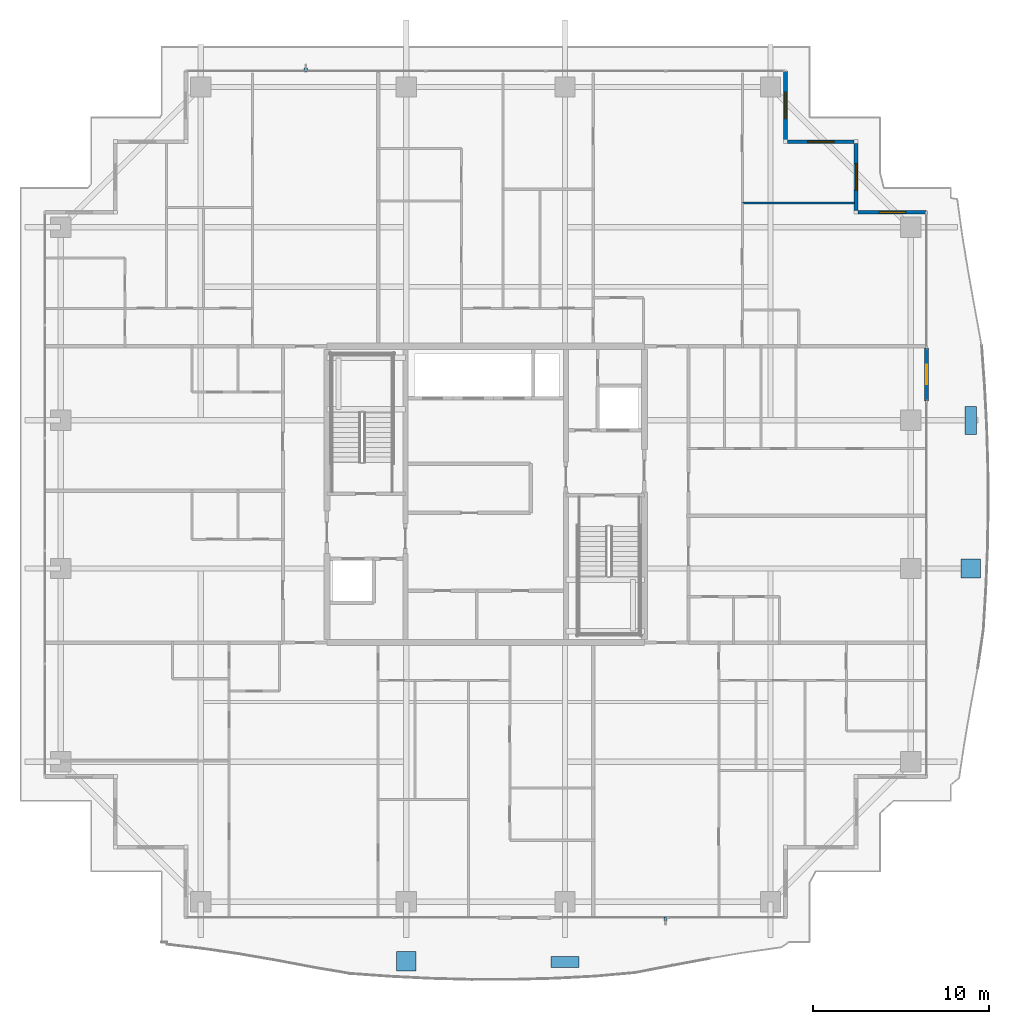
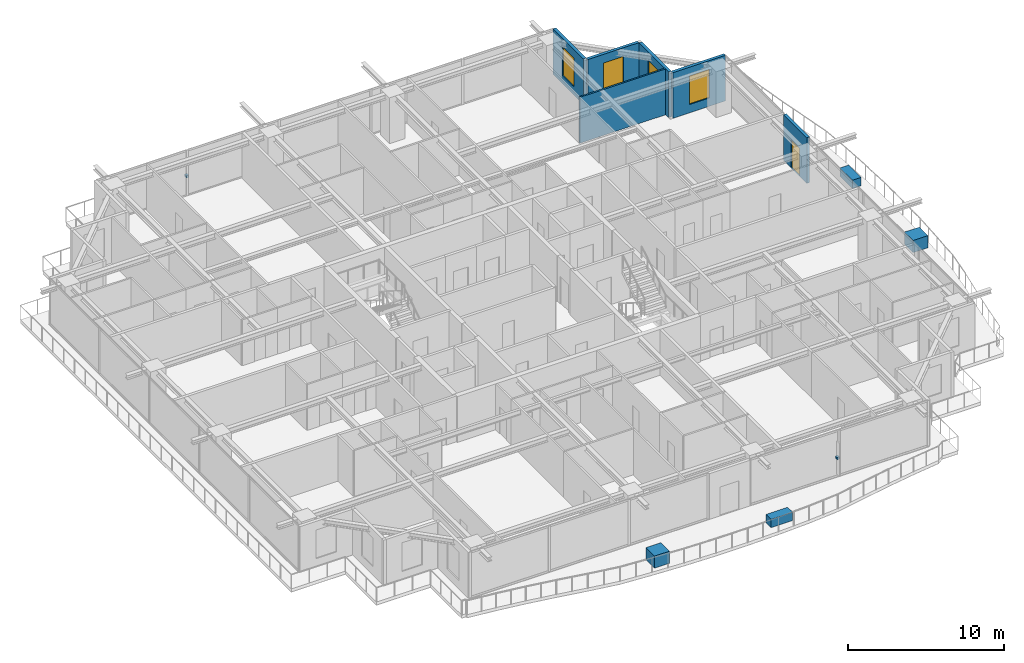
# One storey, part 31 of 38: 6 discrete accessories, 6 walls, 4 windows, 1 door, 5 openings.
"""IFC4 building model written with IfcOpenShell, lengths in metres."""

from ifc_helpers import new_model, si_unit, direction, frame, frame_2d, origin, origin_2d, place, context, subcontext, project, spatial, rectangle, extrude, source, transform, mapped, material, layer, layer_set, type_object, element, fill, save


model = new_model("IFC4")

# Units and contexts
model_context = context("Model", 3, precision=1e-05, world=origin(), true_north=direction((0.0, 1.0)))
body_context = subcontext(model_context, "Body", "Model", "MODEL_VIEW")
ifc_project = project(units=[si_unit("LENGTHUNIT", "METRE"), si_unit("AREAUNIT", "SQUARE_METRE"), si_unit("VOLUMEUNIT", "CUBIC_METRE"), si_unit("PLANEANGLEUNIT", "RADIAN"), si_unit("MASSUNIT", "GRAM", prefix="KILO")], contexts=[model_context])

# Site, building, storey
site_placement = place(None, origin())
site = spatial("IfcSite", under=ifc_project, at=site_placement, CompositionType="ELEMENT")
building_placement = place(site_placement, origin())
building = spatial("IfcBuilding", under=site, at=building_placement, Name="Serunith Strait Residences", CompositionType="ELEMENT")
storey_placement = place(building_placement, frame((0.0, 0.0, 229.699951171875)))
storey = spatial("IfcBuildingStorey", under=building, at=storey_placement, Name="L57", CompositionType="ELEMENT", Elevation=229.699951171875)

# Wall, opening, door
ifc_material_1 = material(Name="Pale-Champagne Aluminium Insulated Panel", Category="aluminium")
ifc_layer_1 = layer(ifc_material_1, 0.219970703125, Name="Pale-Champagne Aluminium Insulated Panel")
ifc_layer_set_1 = layer_set([ifc_layer_1], Name="Pale-Champagne Aluminium Insulated Panel")
wall_type_1 = type_object("IfcWallType", Name="EW-ALUM-220", PredefinedType="ELEMENTEDWALL", material=ifc_layer_set_1)
wall_1_placement = place(storey_placement, frame((57.39990234375, 30.5, 0.0), z_axis=(0.0, 0.0, 1.0), x_axis=(0.0, 1.0, 0.0)))
wall_1 = element("IfcWall", 1, at=wall_1_placement, inside=storey, type_object=wall_type_1, Name="L57 E Facade Pier Wall", PredefinedType="ELEMENTEDWALL", context=body_context, shape_type="SweptSolid", body=[
    extrude(rectangle(XDim=3.0, YDim=0.219970703125, at=frame_2d((1.5, 0.0))), origin(), (0.0, 0.0, 1.0), 3.574951171875),
])
opening_1_placement = place(wall_1_placement, frame((0.949951171875, 0.0, 0.0)))
opening_1 = element("IfcOpeningElement", 2, at=opening_1_placement, cuts=wall_1, Name="Opening ED-03", PredefinedType="OPENING", context=body_context, shape_type="SweptSolid", body=[
    extrude(rectangle(XDim=1.10009765625, YDim=2.199951171875, at=frame_2d((0.550048828125, 1.10009765625))), frame((0.0, 0.1201171875, 0.0), z_axis=(0.0, -1.0, 0.0), x_axis=(1.0, 0.0, 0.0)), (0.0, 0.0, 1.0), 0.239990234375),
])
ifc_material_2 = material(Name="Thermally-Broken Aluminium Glazed Balcony Door", Category="aluminium")
door_type = type_object("IfcDoorType", Name="ED-BALC-1100", OperationType="NOTDEFINED", PredefinedType="DOOR", material=ifc_material_2)
shared_shape_1 = source(origin(), body_context, "Body", "SweptSolid", [
    extrude(rectangle(XDim=1.10009765625, YDim=2.199951171875, at=frame_2d((0.550048828125, 1.10009765625))), frame((0.0, 0.02490234375, 0.0), z_axis=(0.0, -1.0, 0.0), x_axis=(1.0, 0.0, 0.0)), (0.0, 0.0, 1.0), 0.050048828125),
])
door_placement = place(opening_1_placement, origin())
door = element("IfcDoor", 3, at=door_placement, inside=storey, type_object=door_type, Name="L57 E Vertical-Forest Balcony Door", OperationType="SINGLE_SWING_RIGHT", OverallHeight=2.199951171875, OverallWidth=1.10009765625, PredefinedType="DOOR", context=body_context, shape_type="MappedRepresentation", body=[
    mapped(shared_shape_1, transform((0.0, 0.0, 0.0), scale=1.0)),
])
fill(opening_1, door)

# Wall, opening, window
wall_2_placement = place(storey_placement, frame((57.39990234375, 41.199951171875, 0.0), z_axis=(0.0, 0.0, 1.0), x_axis=(-1.0, 0.0, 0.0)))
wall_2 = element("IfcWall", 4, at=wall_2_placement, inside=storey, type_object=wall_type_1, Name="L57 Girih Serrated Corner Wall 07", PredefinedType="ELEMENTEDWALL", context=body_context, shape_type="SweptSolid", body=[
    extrude(rectangle(XDim=3.889892578125, YDim=0.219970703125, at=frame_2d((1.94482421875, 0.0))), origin(), (0.0, 0.0, 1.0), 3.574951171875),
])
opening_2_placement = place(wall_2_placement, frame((1.195068359375, 0.0, 0.64990234375)))
opening_2 = element("IfcOpeningElement", 5, at=opening_2_placement, cuts=wall_2, Name="Opening W-05", PredefinedType="OPENING", context=body_context, shape_type="SweptSolid", body=[
    extrude(rectangle(XDim=1.5, YDim=2.25, at=frame_2d((0.75, 1.125))), frame((0.0, 0.1201171875, 0.0), z_axis=(0.0, -1.0, 0.0), x_axis=(1.0, 0.0, 0.0)), (0.0, 0.0, 1.0), 0.239990234375),
])
ifc_material_3 = material(Name="Ceramic-Fritted Operable Aluminium Window Glass", Category="aluminium")
window_type = type_object("IfcWindowType", Name="WIN-C5", PartitioningType="DOUBLE_PANEL_VERTICAL", PredefinedType="WINDOW", material=ifc_material_3)
shared_shape_2 = source(origin(), body_context, "Body", "SweptSolid", [
    extrude(rectangle(XDim=1.5, YDim=2.25, at=frame_2d((0.75, 1.125))), frame((0.0, 0.030029296875, 0.0), z_axis=(0.0, -1.0, 0.0), x_axis=(1.0, 0.0, 0.0)), (0.0, 0.0, 1.0), 0.06005859375),
])
window_1_placement = place(opening_2_placement, origin())
window_1 = element("IfcWindow", 6, at=window_1_placement, inside=storey, type_object=window_type, Name="L57 Corner Operable Fritted Window 07", OverallHeight=2.25, OverallWidth=1.5, PartitioningType="SINGLE_PANEL", PredefinedType="WINDOW", context=body_context, shape_type="MappedRepresentation", body=[
    mapped(shared_shape_2, transform((0.0, 0.0, 0.0), scale=1.0)),
])
fill(opening_2, window_1)

wall_3_placement = place(storey_placement, frame((53.39990234375, 41.31005859375, 0.0), z_axis=(0.0, 0.0, 1.0), x_axis=(0.0, 1.0, 0.0)))
wall_3 = element("IfcWall", 7, at=wall_3_placement, inside=storey, type_object=wall_type_1, Name="L57 Girih Serrated Corner Wall 08", PredefinedType="ELEMENTEDWALL", context=body_context, shape_type="SweptSolid", body=[
    extrude(rectangle(XDim=3.780029296875, YDim=0.219970703125, at=frame_2d((1.89013671875, 0.0))), origin(), (0.0, 0.0, 1.0), 3.574951171875),
])
opening_3_placement = place(wall_3_placement, frame((1.139892578125, 0.0, 0.64990234375)))
opening_3 = element("IfcOpeningElement", 8, at=opening_3_placement, cuts=wall_3, Name="Opening W-05", PredefinedType="OPENING", context=body_context, shape_type="SweptSolid", body=[
    extrude(rectangle(XDim=1.5, YDim=2.25, at=frame_2d((0.75, 1.125))), frame((0.0, 0.1201171875, 0.0), z_axis=(0.0, -1.0, 0.0), x_axis=(1.0, 0.0, 0.0)), (0.0, 0.0, 1.0), 0.239990234375),
])
window_2_placement = place(opening_3_placement, origin())
window_2 = element("IfcWindow", 9, at=window_2_placement, inside=storey, type_object=window_type, Name="L57 Corner Operable Fritted Window 08", OverallHeight=2.25, OverallWidth=1.5, PartitioningType="SINGLE_PANEL", PredefinedType="WINDOW", context=body_context, shape_type="MappedRepresentation", body=[
    mapped(shared_shape_2, transform((0.0, 0.0, 0.0), scale=1.0)),
])
fill(opening_3, window_2)

wall_4_placement = place(storey_placement, frame((53.2900390625, 45.199951171875, 0.0), z_axis=(0.0, 0.0, 1.0), x_axis=(-1.0, 0.0, 0.0)))
wall_4 = element("IfcWall", 10, at=wall_4_placement, inside=storey, type_object=wall_type_1, Name="L57 Girih Serrated Corner Wall 09", PredefinedType="ELEMENTEDWALL", context=body_context, shape_type="SweptSolid", body=[
    extrude(rectangle(XDim=3.780029296875, YDim=0.219970703125, at=frame_2d((1.89013671875, 0.0))), origin(), (0.0, 0.0, 1.0), 3.574951171875),
])
opening_4_placement = place(wall_4_placement, frame((1.139892578125, 0.0, 0.64990234375)))
opening_4 = element("IfcOpeningElement", 11, at=opening_4_placement, cuts=wall_4, Name="Opening W-05", PredefinedType="OPENING", context=body_context, shape_type="SweptSolid", body=[
    extrude(rectangle(XDim=1.5, YDim=2.25, at=frame_2d((0.75, 1.125))), frame((0.0, 0.1201171875, 0.0), z_axis=(0.0, -1.0, 0.0), x_axis=(1.0, 0.0, 0.0)), (0.0, 0.0, 1.0), 0.239990234375),
])
window_3_placement = place(opening_4_placement, origin())
window_3 = element("IfcWindow", 12, at=window_3_placement, inside=storey, type_object=window_type, Name="L57 Corner Operable Fritted Window 09", OverallHeight=2.25, OverallWidth=1.5, PartitioningType="SINGLE_PANEL", PredefinedType="WINDOW", context=body_context, shape_type="MappedRepresentation", body=[
    mapped(shared_shape_2, transform((0.0, 0.0, 0.0), scale=1.0)),
])
fill(opening_4, window_3)

wall_5_placement = place(storey_placement, frame((49.39990234375, 45.31005859375, 0.0), z_axis=(0.0, 0.0, 1.0), x_axis=(0.0, 1.0, 0.0)))
wall_5 = element("IfcWall", 13, at=wall_5_placement, inside=storey, type_object=wall_type_1, Name="L57 Girih Serrated Corner Wall 10", PredefinedType="ELEMENTEDWALL", context=body_context, shape_type="SweptSolid", body=[
    extrude(rectangle(XDim=3.889892578125, YDim=0.219970703125, at=frame_2d((1.94482421875, 0.0))), origin(), (0.0, 0.0, 1.0), 3.574951171875),
])
opening_5_placement = place(wall_5_placement, frame((1.195068359375, 0.0, 0.64990234375)))
opening_5 = element("IfcOpeningElement", 14, at=opening_5_placement, cuts=wall_5, Name="Opening W-05", PredefinedType="OPENING", context=body_context, shape_type="SweptSolid", body=[
    extrude(rectangle(XDim=1.5, YDim=2.25, at=frame_2d((0.75, 1.125))), frame((0.0, 0.1201171875, 0.0), z_axis=(0.0, -1.0, 0.0), x_axis=(1.0, 0.0, 0.0)), (0.0, 0.0, 1.0), 0.239990234375),
])
window_4_placement = place(opening_5_placement, origin())
window_4 = element("IfcWindow", 15, at=window_4_placement, inside=storey, type_object=window_type, Name="L57 Corner Operable Fritted Window 10", OverallHeight=2.25, OverallWidth=1.5, PartitioningType="SINGLE_PANEL", PredefinedType="WINDOW", context=body_context, shape_type="MappedRepresentation", body=[
    mapped(shared_shape_2, transform((0.0, 0.0, 0.0), scale=1.0)),
])
fill(opening_5, window_4)

# Wall
ifc_material_4 = material(Name="Lightweight steel-stud gypsum partition", Category="steel")
ifc_layer_2 = layer(ifc_material_4, 0.1201171875, Name="Lightweight steel-stud gypsum partition")
ifc_layer_set_2 = layer_set([ifc_layer_2], Name="Lightweight steel-stud gypsum partition")
wall_type_2 = type_object("IfcWallType", Name="IW-PART-120", PredefinedType="PARTITIONING", material=ifc_layer_set_2)
wall_6_placement = place(storey_placement, frame((46.949951171875, 41.73193359375, 0.0), z_axis=(0.0, 0.0, 1.0), x_axis=(1.0, 0.0, 0.0)))
element("IfcWall", 16, at=wall_6_placement, inside=storey, type_object=wall_type_2, Name="L57 Partition Wall 097", PredefinedType="PARTITIONING", context=body_context, shape_type="SweptSolid", body=[
    extrude(rectangle(XDim=6.35498046875, YDim=0.1201171875, at=frame_2d((3.177490234375, 0.0))), origin(), (0.0, 0.0, 1.0), 3.590087890625),
])

# Discrete accessories
ifc_material_5 = material(Name="GFRC Root-Anchored Structural Planter")
discrete_accessory_type_1 = type_object("IfcDiscreteAccessoryType", Name="ACC-PLANTER-TREE", PredefinedType="USERDEFINED", material=ifc_material_5)
shared_shape_3 = source(origin(), body_context, "Body", "SweptSolid", [
    extrude(rectangle(XDim=1.10009765625, YDim=1.10009765625, at=origin_2d()), origin(), (0.0, 0.0, 1.0), 0.949951171875),
])
for number, where, z_axis, x_axis, name in (
    (17, (27.89990234375, -1.2744140625, -0.0498046875), (0.0, 0.0, 1.0), (1.0, 0.0, 0.0), "L57 Vertical-Forest Tree Planter 02"),
    (18, (59.91015625, 21.0, -0.0498046875), (0.0, 0.0, 1.0), (0.0, 1.0, 0.0), "L57 Vertical-Forest Tree Planter 10"),
):
    element("IfcDiscreteAccessory", number, at=place(storey_placement, frame(where, z_axis=z_axis, x_axis=x_axis)), inside=storey, type_object=discrete_accessory_type_1, Name=name, ObjectType="PLANTER", PredefinedType="USERDEFINED", context=body_context, shape_type="MappedRepresentation", body=[
        mapped(shared_shape_3, transform((0.0, 0.0, 0.0), scale=1.0)),
    ])
ifc_material_6 = material(Name="GFRC Irrigated Shrub Trough Planter")
discrete_accessory_type_2 = type_object("IfcDiscreteAccessoryType", Name="ACC-PLANTER-SHRUB", PredefinedType="USERDEFINED", material=ifc_material_6)
shared_shape_4 = source(origin(), body_context, "Body", "SweptSolid", [
    extrude(rectangle(XDim=1.60009765625, YDim=0.64990234375, at=origin_2d()), origin(), (0.0, 0.0, 1.0), 0.64990234375),
])
for number, where, z_axis, x_axis, name in (
    (19, (36.89990234375, -1.30908203125, -0.0498046875), (0.0, 0.0, 1.0), (1.0, 0.0, 0.0), "L57 Vertical-Forest Shrub Planter 03"),
    (20, (59.894287109375, 29.39990234375, -0.0498046875), (0.0, 0.0, 1.0), (0.0, 1.0, 0.0), "L57 Vertical-Forest Shrub Planter 11"),
):
    element("IfcDiscreteAccessory", number, at=place(storey_placement, frame(where, z_axis=z_axis, x_axis=x_axis)), inside=storey, type_object=discrete_accessory_type_2, Name=name, ObjectType="PLANTER", PredefinedType="USERDEFINED", context=body_context, shape_type="MappedRepresentation", body=[
        mapped(shared_shape_4, transform((0.0, 0.0, 0.0), scale=1.0)),
    ])
ifc_material_7 = material(Name="Stainless Steel Facade Cleat Bracket", Category="steel")
discrete_accessory_type_3 = type_object("IfcDiscreteAccessoryType", Name="ACC-FIN-BRACKET", PredefinedType="USERDEFINED", material=ifc_material_7)
shared_shape_5 = source(origin(), body_context, "Body", "SweptSolid", [
    extrude(rectangle(XDim=0.179931640625, YDim=0.219970703125, at=origin_2d()), origin(), (0.0, 0.0, 1.0), 0.179931640625),
])
for number, where, z_axis, x_axis, name in (
    (21, (42.60009765625, 1.1201171875, 1.41015625), (0.0, 0.0, 1.0), (1.0, 0.0, 0.0), "L57 Solar Fin Cleat Bracket S"),
    (22, (22.199951171875, 49.280029296875, 1.41015625), (0.0, 0.0, 1.0), (1.0, 0.0, 0.0), "L57 Solar Fin Cleat Bracket N"),
):
    element("IfcDiscreteAccessory", number, at=place(storey_placement, frame(where, z_axis=z_axis, x_axis=x_axis)), inside=storey, type_object=discrete_accessory_type_3, Name=name, ObjectType="BRACKET", PredefinedType="USERDEFINED", context=body_context, shape_type="MappedRepresentation", body=[
        mapped(shared_shape_5, transform((0.0, 0.0, 0.0), scale=1.0)),
    ])

save(model, "model.ifc")
